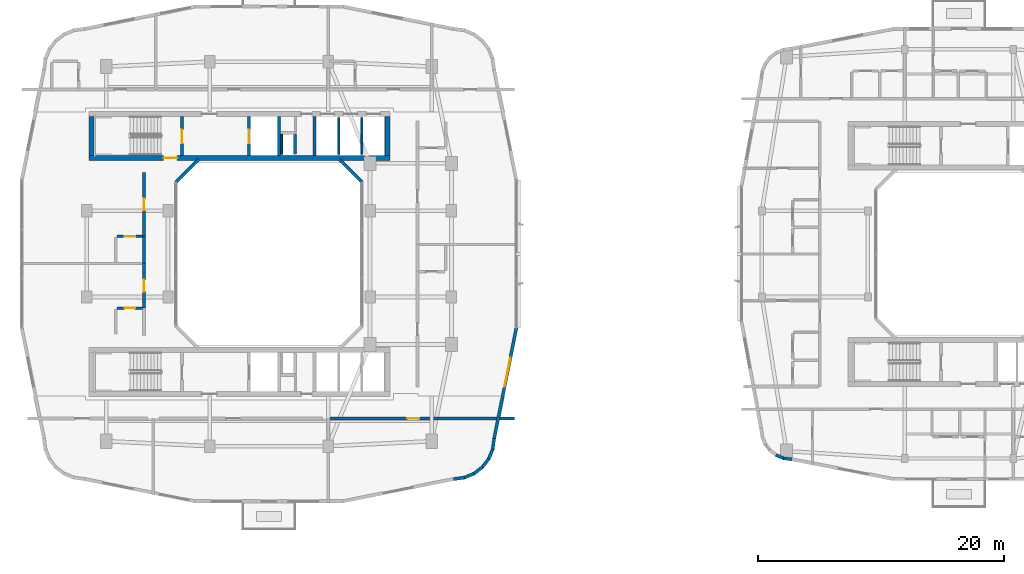
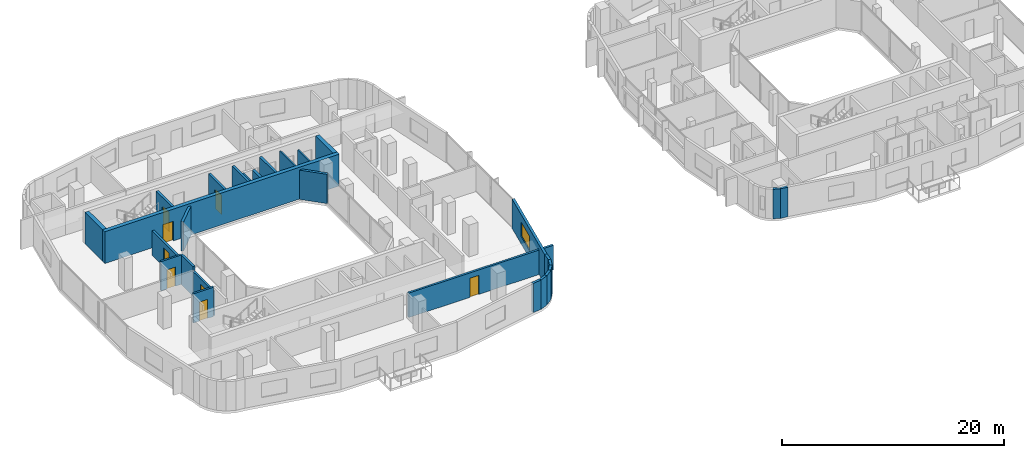
# One storey, part 9 of 22: 28 walls, 8 doors, 1 window, 9 openings.
"""IFC4 building model written with IfcOpenShell, lengths in metres."""

from ifc_helpers import new_model, si_unit, derived_unit, direction, frame, frame_2d, origin, place, context, subcontext, project, spatial, rectangle, extrude, material, layer, layer_set, type_object, element, fill, save


model = new_model("IFC4")

# Units and contexts
model_context = context("Model", 3, precision=1e-05, world=origin(), true_north=direction((0.0, 1.0)))
body_context = subcontext(model_context, "Body", "Model", "MODEL_VIEW")
ifc_project = project(units=[si_unit("LENGTHUNIT", "METRE"), si_unit("AREAUNIT", "SQUARE_METRE"), si_unit("VOLUMEUNIT", "CUBIC_METRE"), si_unit("PLANEANGLEUNIT", "RADIAN"), si_unit("MASSUNIT", "GRAM", prefix="KILO"), derived_unit("THERMALTRANSMITTANCEUNIT", [(si_unit("POWERUNIT", "WATT"), 1), (si_unit("LENGTHUNIT", "METRE"), -2), (si_unit("THERMODYNAMICTEMPERATUREUNIT", "KELVIN"), -1)])], contexts=[model_context])

# Site, building, storey
site_placement = place(None, origin())
site = spatial("IfcSite", under=ifc_project, at=site_placement, CompositionType="ELEMENT")
building_placement = place(site_placement, origin())
building = spatial("IfcBuilding", under=site, at=building_placement, Name="Kivonza Crest Hotel", CompositionType="ELEMENT")
storey_placement = place(building_placement, frame((0.0, 0.0, 112.5)))
storey = spatial("IfcBuildingStorey", under=building, at=storey_placement, Name="L30", CompositionType="ELEMENT", Elevation=112.5)

# Wall, opening, door
ifc_material_1 = material(Name="Autoclaved aerated concrete blockwork", Category="masonry")
ifc_layer_1 = layer(ifc_material_1, 0.219970703125)
ifc_layer_set_1 = layer_set([ifc_layer_1], Name="Autoclaved aerated concrete blockwork")
wall_type_1 = type_object("IfcWallType", Name="WL-ACOU-220", PredefinedType="SOLIDWALL", material=ifc_layer_set_1)
wall_1_placement = place(storey_placement, frame((25.89990234375, 11.64990234375, 0.0), z_axis=(0.0, 0.0, 1.0), x_axis=(1.0, 0.0, 0.0)))
wall_1 = element("IfcWall", 1, at=wall_1_placement, inside=storey, type_object=wall_type_1, Name="L30 interior partition WA-L30-BUS-MTG-N", PredefinedType="SOLIDWALL", context=body_context, shape_type="SweptSolid", body=[
    extrude(rectangle(XDim=15.0400390625, YDim=0.219970703125, at=frame_2d((7.52001953125, 0.0))), origin(), (0.0, 0.0, 1.0), 2.695068359375),
])
opening_1_placement = place(wall_1_placement, frame((6.330078125, 0.0, 0.0)))
opening_1 = element("IfcOpeningElement", 2, at=opening_1_placement, cuts=wall_1, Name="Opening DF-60S", PredefinedType="OPENING", context=body_context, shape_type="SweptSolid", body=[
    extrude(rectangle(XDim=0.949951171875, YDim=2.10009765625, at=frame_2d((0.47509765625, 1.050048828125))), frame((0.0, 0.1201171875, 0.0), z_axis=(0.0, -1.0, 0.0), x_axis=(1.0, 0.0, 0.0)), (0.0, 0.0, 1.0), 0.239990234375),
])
ifc_material_2 = material(Name="Hardwood timber oak", Category="wood")
door_type_1 = type_object("IfcDoorType", Name="DR-FD60-950", OperationType="NOTDEFINED", PredefinedType="DOOR", material=ifc_material_2)
door_1_placement = place(opening_1_placement, frame((0.949951171875, 0.0, 0.0), z_axis=(0.0, 0.0, 1.0), x_axis=(-1.0, 0.0, 0.0)))
door_1 = element("IfcDoor", 3, at=door_1_placement, inside=storey, type_object=door_type_1, Name="L30 Residents Reading Room door", OperationType="SINGLE_SWING_RIGHT", OverallHeight=2.10009765625, OverallWidth=0.949951171875, PredefinedType="DOOR", context=body_context, shape_type="SweptSolid", body=[
    extrude(rectangle(XDim=0.949951171875, YDim=2.10009765625, at=frame_2d((0.47509765625, 1.050048828125))), frame((0.0, 0.02490234375, 0.0), z_axis=(0.0, -1.0, 0.0), x_axis=(1.0, 0.0, 0.0)), (0.0, 0.0, 1.0), 0.050048828125),
])
fill(opening_1, door_1)

wall_2_placement = place(storey_placement, frame((10.85009765625, 20.60009765625, 0.0), z_axis=(0.0, 0.0, 1.0), x_axis=(0.0, 1.0, 0.0)))
wall_2 = element("IfcWall", 4, at=wall_2_placement, inside=storey, type_object=wall_type_1, Name="L30 interior partition WA-L30-W03-MCORR", PredefinedType="SOLIDWALL", context=body_context, shape_type="SweptSolid", body=[
    extrude(rectangle(XDim=3.6298828125, YDim=0.219970703125, at=frame_2d((1.81494140625, 0.0))), origin(), (0.0, 0.0, 1.0), 2.695068359375),
])
opening_2_placement = place(wall_2_placement, frame((1.340087890625, 0.0, 0.0)))
opening_2 = element("IfcOpeningElement", 5, at=opening_2_placement, cuts=wall_2, Name="Opening DU-60", PredefinedType="OPENING", context=body_context, shape_type="SweptSolid", body=[
    extrude(rectangle(XDim=0.949951171875, YDim=2.10009765625, at=frame_2d((0.47509765625, 1.050048828125))), frame((0.0, 0.1201171875, 0.0), z_axis=(0.0, -1.0, 0.0), x_axis=(1.0, 0.0, 0.0)), (0.0, 0.0, 1.0), 0.239990234375),
])
door_type_2 = type_object("IfcDoorType", Name="DR-UNIT-950", OperationType="NOTDEFINED", PredefinedType="DOOR", material=ifc_material_2)
door_2_placement = place(opening_2_placement, origin())
door_2 = element("IfcDoor", 6, at=door_2_placement, inside=storey, type_object=door_type_2, Name="L30 W03 guest unit entrance fire door", OperationType="SINGLE_SWING_LEFT", OverallHeight=2.10009765625, OverallWidth=0.949951171875, PredefinedType="DOOR", context=body_context, shape_type="SweptSolid", body=[
    extrude(rectangle(XDim=0.949951171875, YDim=2.10009765625, at=frame_2d((0.47509765625, 1.050048828125))), frame((0.0, 0.02490234375, 0.0), z_axis=(0.0, -1.0, 0.0), x_axis=(1.0, 0.0, 0.0)), (0.0, 0.0, 1.0), 0.050048828125),
])
fill(opening_2, door_2)

# Wall
wall_3_placement = place(storey_placement, frame((10.85009765625, 24.22998046875, 0.0), z_axis=(0.0, 0.0, 1.0), x_axis=(0.0, 1.0, 0.0)))
element("IfcWall", 7, at=wall_3_placement, inside=storey, type_object=wall_type_1, Name="L30 interior partition WA-L30-W04-BCORR", PredefinedType="SOLIDWALL", context=body_context, shape_type="SweptSolid", body=[
    extrude(rectangle(XDim=2.199951171875, YDim=0.219970703125, at=frame_2d((1.10009765625, 0.0))), origin(), (0.0, 0.0, 1.0), 3.219970703125),
])

# Wall, opening, door
wall_4_placement = place(storey_placement, frame((10.85009765625, 26.429931640625, 0.0), z_axis=(0.0, 0.0, 1.0), x_axis=(0.0, 1.0, 0.0)))
wall_4 = element("IfcWall", 8, at=wall_4_placement, inside=storey, type_object=wall_type_1, Name="L30 interior partition WA-L30-W04-MCORR", PredefinedType="SOLIDWALL", context=body_context, shape_type="SweptSolid", body=[
    extrude(rectangle(XDim=5.170166015625, YDim=0.219970703125, at=frame_2d((2.5849609375, 0.0))), origin(), (0.0, 0.0, 1.0), 2.695068359375),
])
opening_3_placement = place(wall_4_placement, frame((2.110107421875, 0.0, 0.0)))
opening_3 = element("IfcOpeningElement", 9, at=opening_3_placement, cuts=wall_4, Name="Opening DU-60", PredefinedType="OPENING", context=body_context, shape_type="SweptSolid", body=[
    extrude(rectangle(XDim=0.949951171875, YDim=2.10009765625, at=frame_2d((0.47509765625, 1.050048828125))), frame((0.0, 0.1201171875, 0.0), z_axis=(0.0, -1.0, 0.0), x_axis=(1.0, 0.0, 0.0)), (0.0, 0.0, 1.0), 0.239990234375),
])
door_3_placement = place(opening_3_placement, origin())
door_3 = element("IfcDoor", 10, at=door_3_placement, inside=storey, type_object=door_type_2, Name="L30 W04 guest unit entrance fire door", OperationType="SINGLE_SWING_RIGHT", OverallHeight=2.10009765625, OverallWidth=0.949951171875, PredefinedType="DOOR", context=body_context, shape_type="SweptSolid", body=[
    extrude(rectangle(XDim=0.949951171875, YDim=2.10009765625, at=frame_2d((0.47509765625, 1.050048828125))), frame((0.0, 0.02490234375, 0.0), z_axis=(0.0, -1.0, 0.0), x_axis=(1.0, 0.0, 0.0)), (0.0, 0.0, 1.0), 0.050048828125),
])
fill(opening_3, door_3)

ifc_material_3 = material(Name="Concrete C50/60", Category="concrete")
ifc_layer_2 = layer(ifc_material_3, 0.39990234375)
ifc_layer_set_2 = layer_set([ifc_layer_2], Name="Concrete C50/60")
wall_type_2 = type_object("IfcWallType", Name="WL-CORE-400", PredefinedType="SHEAR", material=ifc_layer_set_2)
wall_5_placement = place(storey_placement, frame((6.39990234375, 32.800048828125, 0.0), z_axis=(0.0, 0.0, 1.0), x_axis=(1.0, 0.0, 0.0)))
wall_5 = element("IfcWall", 11, at=wall_5_placement, inside=storey, type_object=wall_type_2, Name="Core wall T1-N South L30", PredefinedType="SHEAR", context=body_context, shape_type="SweptSolid", body=[
    extrude(rectangle(XDim=24.400146484375, YDim=0.39990234375, at=frame_2d((12.2001953125, 0.0))), origin(), (0.0, 0.0, 1.0), 3.5),
])
opening_4_placement = place(wall_5_placement, frame((6.050048828125, 0.0, 0.0)))
opening_4 = element("IfcOpeningElement", 12, at=opening_4_placement, cuts=wall_5, Name="Opening DF-120", PredefinedType="OPENING", context=body_context, shape_type="SweptSolid", body=[
    extrude(rectangle(XDim=1.10009765625, YDim=2.14990234375, at=frame_2d((0.550048828125, 1.074951171875))), frame((0.0, 0.2099609375, 0.0), z_axis=(0.0, -1.0, 0.0), x_axis=(1.0, 0.0, 0.0)), (0.0, 0.0, 1.0), 0.419921875),
])
ifc_material_4 = material(Name="Galvanised steel", Category="steel")
door_type_3 = type_object("IfcDoorType", Name="DR-FD120-1100", OperationType="NOTDEFINED", PredefinedType="DOOR", material=ifc_material_4)
door_4_placement = place(opening_4_placement, origin())
door_4 = element("IfcDoor", 13, at=door_4_placement, inside=storey, type_object=door_type_3, Name="L30 West corridor stair access fire door", OperationType="SINGLE_SWING_LEFT", OverallHeight=2.14990234375, OverallWidth=1.10009765625, PredefinedType="DOOR", context=body_context, shape_type="SweptSolid", body=[
    extrude(rectangle(XDim=1.10009765625, YDim=2.14990234375, at=frame_2d((0.550048828125, 1.074951171875))), frame((0.0, 0.02490234375, 0.0), z_axis=(0.0, -1.0, 0.0), x_axis=(1.0, 0.0, 0.0)), (0.0, 0.0, 1.0), 0.050048828125),
])
fill(opening_4, door_4)

# Walls
for number, where, z_axis, x_axis, name in (
    (14, (6.60009765625, 33.0, 0.0), (0.0, 0.0, 1.0), (0.0, 1.0, 0.0), "Core wall T1-N West L30"),
    (15, (30.60009765625, 33.0, 0.0), (0.0, 0.0, 1.0), (0.0, 1.0, 0.0), "Core wall T1-N East L30"),
):
    element("IfcWall", number, at=place(storey_placement, frame(where, z_axis=z_axis, x_axis=x_axis)), inside=storey, type_object=wall_type_2, Name=name, PredefinedType="SHEAR", context=body_context, shape_type="SweptSolid", body=[
        extrude(rectangle(XDim=3.159912109375, YDim=0.39990234375, at=frame_2d((1.580078125, 0.0))), origin(), (0.0, 0.0, 1.0), 3.5),
    ])
ifc_material_5 = material(Name="Precast concrete C40/50", Category="concrete")
ifc_layer_3 = layer(ifc_material_5, 0.260009765625)
ifc_layer_set_3 = layer_set([ifc_layer_3], Name="Precast concrete C40/50")
wall_type_3 = type_object("IfcWallType", Name="WL-EXT-260", PredefinedType="STANDARD", material=ifc_layer_set_3)
wall_6_placement = place(storey_placement, frame((35.97509765625, 6.72802734375, 0.0), z_axis=(0.0, 0.0, 1.0), x_axis=(0.991388484223, 0.130953706898, 0.0)))
element("IfcWall", 16, at=wall_6_placement, inside=storey, type_object=wall_type_3, Name="L30 T1 exterior insulated wall 10", PredefinedType="STANDARD", context=body_context, shape_type="SweptSolid", body=[
    extrude(rectangle(XDim=0.885498046875, YDim=0.260009765625, at=frame_2d((0.44287109375, 0.0))), origin(), (0.0, 0.0, 1.0), 3.219970703125),
])
wall_7_placement = place(storey_placement, frame((36.806884765625, 6.825927734375, 0.0), z_axis=(0.0, 0.0, 1.0), x_axis=(0.923627776508, 0.383290660547, 0.0)))
element("IfcWall", 17, at=wall_7_placement, inside=storey, type_object=wall_type_3, Name="L30 T1 exterior insulated wall 11", PredefinedType="STANDARD", context=body_context, shape_type="SweptSolid", body=[
    extrude(rectangle(XDim=0.9033203125, YDim=0.260009765625, at=frame_2d((0.45166015625, 0.0))), origin(), (0.0, 0.0, 1.0), 3.219970703125),
])
wall_8_placement = place(storey_placement, frame((37.60107421875, 7.14404296875, 0.0), z_axis=(0.0, 0.0, 1.0), x_axis=(0.793458244748, 0.608624690463, 0.0)))
element("IfcWall", 18, at=wall_8_placement, inside=storey, type_object=wall_type_3, Name="L30 T1 exterior insulated wall 12", PredefinedType="STANDARD", context=body_context, shape_type="SweptSolid", body=[
    extrude(rectangle(XDim=0.902099609375, YDim=0.260009765625, at=frame_2d((0.451171875, 0.0))), origin(), (0.0, 0.0, 1.0), 3.219970703125),
])
wall_9_placement = place(storey_placement, frame((38.285888671875, 7.655029296875, 0.0), z_axis=(0.0, 0.0, 1.0), x_axis=(0.608494022858, 0.793558456666, 0.0)))
element("IfcWall", 19, at=wall_9_placement, inside=storey, type_object=wall_type_3, Name="L30 T1 exterior insulated wall 13", PredefinedType="STANDARD", context=body_context, shape_type="SweptSolid", body=[
    extrude(rectangle(XDim=0.90234375, YDim=0.260009765625, at=frame_2d((0.451171875, 0.0))), origin(), (0.0, 0.0, 1.0), 3.219970703125),
])
wall_10_placement = place(storey_placement, frame((38.81396484375, 8.326904296875, 0.0), z_axis=(0.0, 0.0, 1.0), x_axis=(0.383155708213, 0.923683767999, 0.0)))
element("IfcWall", 20, at=wall_10_placement, inside=storey, type_object=wall_type_3, Name="L30 T1 exterior insulated wall 14", PredefinedType="STANDARD", context=body_context, shape_type="SweptSolid", body=[
    extrude(rectangle(XDim=0.90283203125, YDim=0.260009765625, at=frame_2d((0.451416015625, 0.0))), origin(), (0.0, 0.0, 1.0), 3.219970703125),
])
wall_11_placement = place(storey_placement, frame((39.152099609375, 9.112060546875, 0.0), z_axis=(0.0, 0.0, 1.0), x_axis=(0.130200706103, 0.991487658083, 0.0)))
element("IfcWall", 21, at=wall_11_placement, inside=storey, type_object=wall_type_3, Name="L30 T1 exterior insulated wall 15", PredefinedType="STANDARD", context=body_context, shape_type="SweptSolid", body=[
    extrude(rectangle(XDim=0.920654296875, YDim=0.260009765625, at=frame_2d((0.46044921875, 0.0))), origin(), (0.0, 0.0, 1.0), 3.219970703125),
])

# Wall, opening, window
wall_12_placement = place(storey_placement, frame((39.27099609375, 10.01806640625, 0.0), z_axis=(0.0, 0.0, 1.0), x_axis=(0.197435082048, 0.980315963543, 0.0)))
wall_12 = element("IfcWall", 22, at=wall_12_placement, inside=storey, type_object=wall_type_3, Name="L30 T1 exterior insulated wall 16", PredefinedType="STANDARD", context=body_context, shape_type="SweptSolid", body=[
    extrude(rectangle(XDim=9.1826171875, YDim=0.260009765625, at=frame_2d((4.59130859375, 0.0))), origin(), (0.0, 0.0, 1.0), 3.219970703125),
])
opening_5_placement = place(wall_12_placement, frame((4.285888671875, 0.0, 0.800048828125)))
opening_5 = element("IfcOpeningElement", 23, at=opening_5_placement, cuts=wall_12, Name="Opening WN-05", PredefinedType="OPENING", context=body_context, shape_type="SweptSolid", body=[
    extrude(rectangle(XDim=2.39990234375, YDim=1.60009765625, at=frame_2d((1.199951171875, 0.800048828125))), frame((0.0, 0.14013671875, 0.0), z_axis=(0.0, -1.0, 0.0), x_axis=(1.0, 0.0, 0.0)), (0.0, 0.0, 1.0), 0.280029296875),
])
ifc_material_6 = material(Name="Thermally broken bronze aluminium and low-E double glazing", Category="aluminium")
window_type = type_object("IfcWindowType", Name="WN-240x160", PartitioningType="TRIPLE_PANEL_VERTICAL", PredefinedType="WINDOW", material=ifc_material_6)
window_placement = place(opening_5_placement, origin())
window = element("IfcWindow", 24, at=window_placement, inside=storey, type_object=window_type, Name="L30 T1 facade window 16", OverallHeight=1.60009765625, OverallWidth=2.39990234375, PartitioningType="SINGLE_PANEL", PredefinedType="WINDOW", context=body_context, shape_type="SweptSolid", body=[
    extrude(rectangle(XDim=2.39990234375, YDim=1.60009765625, at=frame_2d((1.199951171875, 0.800048828125))), frame((0.0, 0.030029296875, 0.0), z_axis=(0.0, -1.0, 0.0), x_axis=(1.0, 0.0, 0.0)), (0.0, 0.0, 1.0), 0.06005859375),
])
fill(opening_5, window)

# Walls
for number, where, z_axis, x_axis, name in (
    (25, (28.555908203125, 30.827880859375, 0.0), (0.0, 0.0, 1.0), (-0.707059717605, 0.707153841636, 0.0), "L30 T1 light-well exterior wall 4"),
    (26, (15.278076171875, 32.662109375, 0.0), (0.0, 0.0, 1.0), (-0.707059717605, -0.707153841636, 0.0), "L30 T1 light-well exterior wall 6"),
):
    element("IfcWall", number, at=place(storey_placement, frame(where, z_axis=z_axis, x_axis=x_axis)), inside=storey, type_object=wall_type_3, Name=name, PredefinedType="STANDARD", context=body_context, shape_type="SweptSolid", body=[
        extrude(rectangle(XDim=2.59375, YDim=0.260009765625, at=frame_2d((1.296875, 0.0))), origin(), (0.0, 0.0, 1.0), 3.219970703125),
    ])
wall_13_placement = place(storey_placement, frame((62.126953125, 8.677978515625, 0.0), z_axis=(0.0, 0.0, 1.0), x_axis=(0.92421822618, -0.381864727877, 0.0)))
element("IfcWall", 27, at=wall_13_placement, inside=storey, type_object=wall_type_3, Name="L30 T2 exterior insulated wall 5", PredefinedType="STANDARD", context=body_context, shape_type="SweptSolid", body=[
    extrude(rectangle(XDim=0.693603515625, YDim=0.260009765625, at=frame_2d((0.3466796875, 0.0))), origin(), (0.0, 0.0, 1.0), 3.25),
])
wall_14_placement = place(storey_placement, frame((62.718994140625, 8.4208984375, 0.0), z_axis=(0.0, 0.0, 1.0), x_axis=(0.991433279471, -0.130614135366, 0.0)))
element("IfcWall", 28, at=wall_14_placement, inside=storey, type_object=wall_type_3, Name="L30 T2 exterior insulated wall 6", PredefinedType="STANDARD", context=body_context, shape_type="SweptSolid", body=[
    extrude(rectangle(XDim=0.712158203125, YDim=0.260009765625, at=frame_2d((0.35595703125, 0.0))), origin(), (0.0, 0.0, 1.0), 3.25),
])
ifc_material_7 = material(Name="Concrete blockwork fire-compartment wall", Category="masonry")
ifc_layer_4 = layer(ifc_material_7, 0.25)
ifc_layer_set_4 = layer_set([ifc_layer_4], Name="Concrete blockwork fire-compartment wall")
wall_type_4 = type_object("IfcWallType", Name="WL-FIRE-250", PredefinedType="SOLIDWALL", material=ifc_layer_set_4)
wall_15_placement = place(storey_placement, frame((23.10009765625, 33.10009765625, 0.0), z_axis=(0.0, 0.0, 1.0), x_axis=(0.0, 1.0, 0.0)))
element("IfcWall", 29, at=wall_15_placement, inside=storey, type_object=wall_type_4, Name="L30 interior partition WA-L30-T1-N-MEPR-E", PredefinedType="SOLIDWALL", context=body_context, shape_type="SweptSolid", body=[
    extrude(rectangle(XDim=1.619873046875, YDim=0.25, at=frame_2d((0.81005859375, 0.0))), origin(), (0.0, 0.0, 1.0), 3.219970703125),
])
ifc_material_8 = material(Name="Twin-stud acoustic gypsum board partition", Category="gypsum")
ifc_layer_5 = layer(ifc_material_8, 0.14990234375)
ifc_layer_set_5 = layer_set([ifc_layer_5], Name="Twin-stud acoustic gypsum board partition")
wall_type_5 = type_object("IfcWallType", Name="WL-PART-150", PredefinedType="PARTITIONING", material=ifc_layer_set_5)
wall_16_placement = place(storey_placement, frame((22.030029296875, 33.10009765625, 0.0), z_axis=(0.0, 0.0, 1.0), x_axis=(0.0, 1.0, 0.0)))
element("IfcWall", 30, at=wall_16_placement, inside=storey, type_object=wall_type_5, Name="L30 interior partition WA-L30-T1-N-MEPR-W", PredefinedType="PARTITIONING", context=body_context, shape_type="SweptSolid", body=[
    extrude(rectangle(XDim=1.619873046875, YDim=0.14990234375, at=frame_2d((0.81005859375, 0.0))), origin(), (0.0, 0.0, 1.0), 3.219970703125),
])
wall_17_placement = place(storey_placement, frame((26.6669921875, 33.10009765625, 0.0), z_axis=(0.0, 0.0, 1.0), x_axis=(0.0, 1.0, 0.0)))
element("IfcWall", 31, at=wall_17_placement, inside=storey, type_object=wall_type_5, Name="L30 interior partition WP-L30-T1-N-BSH-1", PredefinedType="PARTITIONING", context=body_context, shape_type="SweptSolid", body=[
    extrude(rectangle(XDim=2.9599609375, YDim=0.14990234375, at=frame_2d((1.47998046875, 0.0))), origin(), (0.0, 0.0, 1.0), 3.219970703125),
])
wall_18_placement = place(storey_placement, frame((28.532958984375, 33.10009765625, 0.0), z_axis=(0.0, 0.0, 1.0), x_axis=(0.0, 1.0, 0.0)))
element("IfcWall", 32, at=wall_18_placement, inside=storey, type_object=wall_type_5, Name="L30 interior partition WP-L30-T1-N-BSH-2", PredefinedType="PARTITIONING", context=body_context, shape_type="SweptSolid", body=[
    extrude(rectangle(XDim=2.9599609375, YDim=0.14990234375, at=frame_2d((1.47998046875, 0.0))), origin(), (0.0, 0.0, 1.0), 2.695068359375),
])

# Wall, opening, door
ifc_material_9 = material(Name="Moisture-resistant plumbing chase partition wall", Category="gypsum")
ifc_layer_6 = layer(ifc_material_9, 0.199951171875)
ifc_layer_set_6 = layer_set([ifc_layer_6], Name="Moisture-resistant plumbing chase partition wall")
wall_type_6 = type_object("IfcWallType", Name="WL-PLUMB-200", PredefinedType="PLUMBINGWALL", material=ifc_layer_set_6)
wall_19_placement = place(storey_placement, frame((8.64990234375, 20.60009765625, 0.0), z_axis=(0.0, 0.0, 1.0), x_axis=(1.0, 0.0, 0.0)))
wall_19 = element("IfcWall", 33, at=wall_19_placement, inside=storey, type_object=wall_type_6, Name="L30 interior partition WW-L30-W03-BH", PredefinedType="PLUMBINGWALL", context=body_context, shape_type="SweptSolid", body=[
    extrude(rectangle(XDim=2.10009765625, YDim=0.199951171875, at=frame_2d((1.050048828125, 0.0))), origin(), (0.0, 0.0, 1.0), 3.219970703125),
])
opening_6_placement = place(wall_19_placement, frame((0.625, 0.0, 0.0)))
opening_6 = element("IfcOpeningElement", 34, at=opening_6_placement, cuts=wall_19, Name="Opening DI-85", PredefinedType="OPENING", context=body_context, shape_type="SweptSolid", body=[
    extrude(rectangle(XDim=0.85009765625, YDim=2.10009765625, at=frame_2d((0.425048828125, 1.050048828125))), frame((0.0, 0.10986328125, 0.0), z_axis=(0.0, -1.0, 0.0), x_axis=(1.0, 0.0, 0.0)), (0.0, 0.0, 1.0), 0.219970703125),
])
door_type_4 = type_object("IfcDoorType", Name="DR-INT-850", OperationType="NOTDEFINED", PredefinedType="DOOR", material=ifc_material_2)
door_5_placement = place(opening_6_placement, origin())
door_5 = element("IfcDoor", 35, at=door_5_placement, inside=storey, type_object=door_type_4, Name="L30 W03 en-suite bathroom door", OperationType="SINGLE_SWING_RIGHT", OverallHeight=2.10009765625, OverallWidth=0.85009765625, PredefinedType="DOOR", context=body_context, shape_type="SweptSolid", body=[
    extrude(rectangle(XDim=0.85009765625, YDim=2.10009765625, at=frame_2d((0.425048828125, 1.050048828125))), frame((0.0, 0.02490234375, 0.0), z_axis=(0.0, -1.0, 0.0), x_axis=(1.0, 0.0, 0.0)), (0.0, 0.0, 1.0), 0.050048828125),
])
fill(opening_6, door_5)

wall_20_placement = place(storey_placement, frame((8.64990234375, 26.429931640625, 0.0), z_axis=(0.0, 0.0, 1.0), x_axis=(1.0, 0.0, 0.0)))
wall_20 = element("IfcWall", 36, at=wall_20_placement, inside=storey, type_object=wall_type_6, Name="L30 interior partition WW-L30-W04-BH", PredefinedType="PLUMBINGWALL", context=body_context, shape_type="SweptSolid", body=[
    extrude(rectangle(XDim=2.10009765625, YDim=0.199951171875, at=frame_2d((1.050048828125, 0.0))), origin(), (0.0, 0.0, 1.0), 3.219970703125),
])
opening_7_placement = place(wall_20_placement, frame((0.625, 0.0, 0.0)))
opening_7 = element("IfcOpeningElement", 37, at=opening_7_placement, cuts=wall_20, Name="Opening DI-85", PredefinedType="OPENING", context=body_context, shape_type="SweptSolid", body=[
    extrude(rectangle(XDim=0.85009765625, YDim=2.10009765625, at=frame_2d((0.425048828125, 1.050048828125))), frame((0.0, 0.10986328125, 0.0), z_axis=(0.0, -1.0, 0.0), x_axis=(1.0, 0.0, 0.0)), (0.0, 0.0, 1.0), 0.219970703125),
])
door_6_placement = place(opening_7_placement, origin())
door_6 = element("IfcDoor", 38, at=door_6_placement, inside=storey, type_object=door_type_4, Name="L30 W04 en-suite bathroom door", OperationType="SINGLE_SWING_LEFT", OverallHeight=2.10009765625, OverallWidth=0.85009765625, PredefinedType="DOOR", context=body_context, shape_type="SweptSolid", body=[
    extrude(rectangle(XDim=0.85009765625, YDim=2.10009765625, at=frame_2d((0.425048828125, 1.050048828125))), frame((0.0, 0.02490234375, 0.0), z_axis=(0.0, -1.0, 0.0), x_axis=(1.0, 0.0, 0.0)), (0.0, 0.0, 1.0), 0.050048828125),
])
fill(opening_7, door_6)

ifc_layer_7 = layer(ifc_material_3, 0.25)
ifc_layer_set_7 = layer_set([ifc_layer_7], Name="Concrete C50/60")
wall_type_7 = type_object("IfcWallType", Name="WL-SHAFT-250", PredefinedType="STANDARD", material=ifc_layer_set_7)
wall_21_placement = place(storey_placement, frame((13.925048828125, 33.0, 0.0), z_axis=(0.0, 0.0, 1.0), x_axis=(0.0, 1.0, 0.0)))
wall_21 = element("IfcWall", 39, at=wall_21_placement, inside=storey, type_object=wall_type_7, Name="Core shaft wall T1-N STAIR L30", PredefinedType="STANDARD", context=body_context, shape_type="SweptSolid", body=[
    extrude(rectangle(XDim=3.159912109375, YDim=0.25, at=frame_2d((1.580078125, 0.0))), origin(), (0.0, 0.0, 1.0), 3.219970703125),
])
opening_8_placement = place(wall_21_placement, frame((0.97998046875, 0.0, 0.0)))
opening_8 = element("IfcOpeningElement", 40, at=opening_8_placement, cuts=wall_21, Name="Opening DF-120", PredefinedType="OPENING", context=body_context, shape_type="SweptSolid", body=[
    extrude(rectangle(XDim=1.10009765625, YDim=2.14990234375, at=frame_2d((0.550048828125, 1.074951171875))), frame((0.0, 0.135009765625, 0.0), z_axis=(0.0, -1.0, 0.0), x_axis=(1.0, 0.0, 0.0)), (0.0, 0.0, 1.0), 0.27001953125),
])
door_7_placement = place(opening_8_placement, frame((1.10009765625, 0.0, 0.0), z_axis=(0.0, 0.0, 1.0), x_axis=(-1.0, 0.0, 0.0)))
door_7 = element("IfcDoor", 41, at=door_7_placement, inside=storey, type_object=door_type_3, Name="L30 T1-N stair fire door", OperationType="SINGLE_SWING_LEFT", OverallHeight=2.14990234375, OverallWidth=1.10009765625, PredefinedType="DOOR", context=body_context, shape_type="SweptSolid", body=[
    extrude(rectangle(XDim=1.10009765625, YDim=2.14990234375, at=frame_2d((0.550048828125, 1.074951171875))), frame((0.0, 0.02490234375, 0.0), z_axis=(0.0, -1.0, 0.0), x_axis=(1.0, 0.0, 0.0)), (0.0, 0.0, 1.0), 0.050048828125),
])
fill(opening_8, door_7)

wall_22_placement = place(storey_placement, frame((19.375, 33.0, 0.0), z_axis=(0.0, 0.0, 1.0), x_axis=(0.0, 1.0, 0.0)))
wall_22 = element("IfcWall", 42, at=wall_22_placement, inside=storey, type_object=wall_type_7, Name="Core shaft wall T1-N FFL-W L30", PredefinedType="STANDARD", context=body_context, shape_type="SweptSolid", body=[
    extrude(rectangle(XDim=3.159912109375, YDim=0.25, at=frame_2d((1.580078125, 0.0))), origin(), (0.0, 0.0, 1.0), 3.219970703125),
])
opening_9_placement = place(wall_22_placement, frame((0.97998046875, 0.0, 0.0)))
opening_9 = element("IfcOpeningElement", 43, at=opening_9_placement, cuts=wall_22, Name="Opening LD-120", PredefinedType="OPENING", context=body_context, shape_type="SweptSolid", body=[
    extrude(rectangle(XDim=1.10009765625, YDim=2.14990234375, at=frame_2d((0.550048828125, 1.074951171875))), frame((0.0, 0.135009765625, 0.0), z_axis=(0.0, -1.0, 0.0), x_axis=(1.0, 0.0, 0.0)), (0.0, 0.0, 1.0), 0.27001953125),
])
ifc_material_10 = material(Name="Stainless steel", Category="steel")
door_type_5 = type_object("IfcDoorType", Name="DR-LD120-1100", OperationType="NOTDEFINED", PredefinedType="DOOR", material=ifc_material_10)
door_8_placement = place(opening_9_placement, origin())
door_8 = element("IfcDoor", 44, at=door_8_placement, inside=storey, type_object=door_type_5, Name="L30 FFL-T1-N firefighting lift sliding landing door", OperationType="DOUBLE_DOOR_SLIDING", OverallHeight=2.14990234375, OverallWidth=1.10009765625, PredefinedType="DOOR", context=body_context, shape_type="SweptSolid", body=[
    extrude(rectangle(XDim=1.10009765625, YDim=2.14990234375, at=frame_2d((0.550048828125, 1.074951171875))), frame((0.0, 0.02490234375, 0.0), z_axis=(0.0, -1.0, 0.0), x_axis=(1.0, 0.0, 0.0)), (0.0, 0.0, 1.0), 0.050048828125),
])
fill(opening_9, door_8)

# Walls
for number, where, z_axis, x_axis, name in (
    (45, (21.824951171875, 33.0, 0.0), (0.0, 0.0, 1.0), (0.0, 1.0, 0.0), "Core shaft wall T1-N FFL-E L30"),
    (46, (24.675048828125, 33.0, 0.0), (0.0, 0.0, 1.0), (0.0, 1.0, 0.0), "Core shaft wall T1-N BANK-W L30"),
):
    element("IfcWall", number, at=place(storey_placement, frame(where, z_axis=z_axis, x_axis=x_axis)), inside=storey, type_object=wall_type_7, Name=name, PredefinedType="STANDARD", context=body_context, shape_type="SweptSolid", body=[
        extrude(rectangle(XDim=3.159912109375, YDim=0.25, at=frame_2d((1.580078125, 0.0))), origin(), (0.0, 0.0, 1.0), 3.219970703125),
    ])

save(model, "model.ifc")
